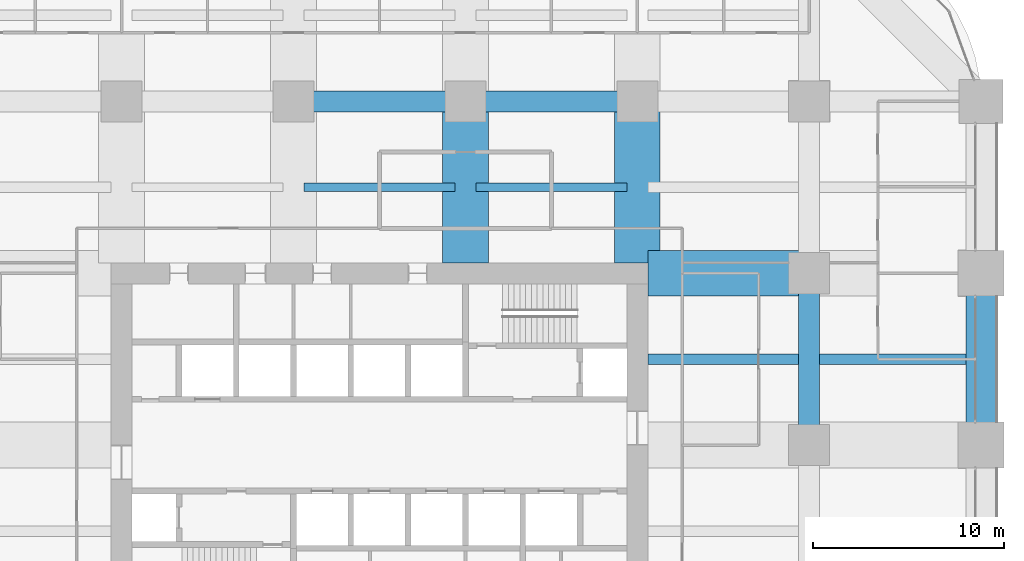
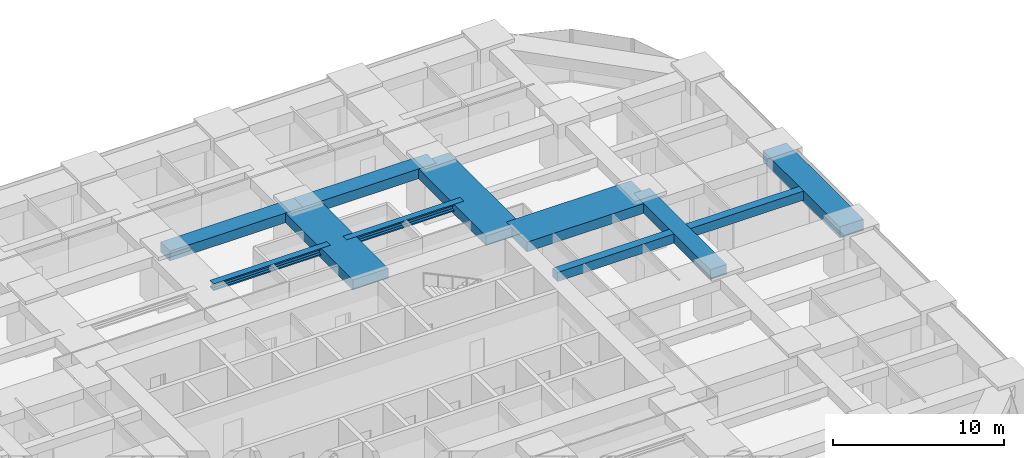
# One storey, part 30 of 45: 11 beams.
"""IFC4 building model written with IfcOpenShell, lengths in metres."""

from ifc_helpers import new_model, si_unit, direction, frame, origin, origin_2d, place, context, subcontext, project, spatial, rectangle, i_section, extrude, material, material_profile, profile_set, type_object, element, save


model = new_model("IFC4")

# Units and contexts
model_context = context("Model", 3, precision=1e-05, world=origin(), true_north=direction((0.0, 1.0)))
body_context = subcontext(model_context, "Body", "Model", "MODEL_VIEW")
ifc_project = project(units=[si_unit("LENGTHUNIT", "METRE"), si_unit("AREAUNIT", "SQUARE_METRE"), si_unit("VOLUMEUNIT", "CUBIC_METRE"), si_unit("PLANEANGLEUNIT", "RADIAN"), si_unit("MASSUNIT", "GRAM", prefix="KILO")], contexts=[model_context])

# Site, building, storey
site_placement = place(None, origin())
site = spatial("IfcSite", under=ifc_project, at=site_placement, CompositionType="ELEMENT")
building_placement = place(site_placement, origin())
building = spatial("IfcBuilding", under=site, at=building_placement, Name="Zorevar Civic Tower", CompositionType="ELEMENT")
storey_placement = place(building_placement, frame((0.0, 0.0, 71.800048828125)))
storey = spatial("IfcBuildingStorey", under=building, at=storey_placement, Name="L17", CompositionType="ELEMENT", Elevation=71.800048828125)

# Beams
ifc_material_1 = material(Name="Concrete C50/60", Category="concrete")
ifc_material_profile_1 = material_profile(ifc_material_1, rectangle(XDim=1.10009765625, YDim=0.699951171875, at=origin_2d()), Name="RC 1100x700")
ifc_profile_set_1 = profile_set([ifc_material_profile_1], Name="Concrete C50/60")
beam_type_1 = type_object("IfcBeamType", Name="Beam RC 1100x700", PredefinedType="BEAM", material=ifc_profile_set_1)
for number, where, z_axis, x_axis, name in (
    (1, (27.0, 45.0, 3.39990234375), (1.0, 0.0, 0.0), (0.0, 1.0, 0.0), "Girder L18"),
    (2, (36.0, 45.0, 3.39990234375), (1.0, 0.0, 0.0), (0.0, 1.0, 0.0), "Girder L18"),
    (3, (54.0, 27.0, 3.39990234375), (0.0, 1.0, 0.0), (-1.0, 0.0, 0.0), "Girder L18"),
):
    element("IfcBeam", number, at=place(storey_placement, frame(where, z_axis=z_axis, x_axis=x_axis)), inside=storey, type_object=beam_type_1, Name=name, PredefinedType="BEAM", context=body_context, shape_type="SweptSolid", body=[
        extrude(rectangle(XDim=1.10009765625, YDim=0.699951171875, at=origin_2d()), origin(), (0.0, 0.0, 1.0), 9.0),
    ])
ifc_material_2 = material(Name="Concrete C50/60", Category="concrete")
ifc_material_profile_2 = material_profile(ifc_material_2, rectangle(XDim=2.39990234375, YDim=0.699951171875, at=origin_2d()), Name="RC 2400x700")
ifc_profile_set_2 = profile_set([ifc_material_profile_2], Name="Concrete C50/60")
beam_type_2 = type_object("IfcBeamType", Name="Beam RC 2400x700", PredefinedType="BEAM", material=ifc_profile_set_2)
for number, where, z_axis, x_axis, name in (
    (4, (45.550048828125, 36.0, 3.39990234375), (1.0, 0.0, 0.0), (0.0, 1.0, 0.0), "Girder L18"),
    (5, (36.0, 36.550048828125, 3.39990234375), (0.0, 1.0, 0.0), (-1.0, 0.0, 0.0), "Girder L18"),
    (6, (45.0, 36.550048828125, 3.39990234375), (0.0, 1.0, 0.0), (-1.0, 0.0, 0.0), "Girder L18"),
):
    element("IfcBeam", number, at=place(storey_placement, frame(where, z_axis=z_axis, x_axis=x_axis)), inside=storey, type_object=beam_type_2, Name=name, PredefinedType="BEAM", context=body_context, shape_type="SweptSolid", body=[
        extrude(rectangle(XDim=2.39990234375, YDim=0.699951171875, at=origin_2d()), origin(), (0.0, 0.0, 1.0), 8.449951171875),
    ])
ifc_material_3 = material(Name="Concrete C50/60", Category="concrete")
ifc_material_profile_3 = material_profile(ifc_material_3, rectangle(XDim=0.550048828125, YDim=0.64990234375, at=origin_2d()), Name="RC 550x650")
ifc_profile_set_3 = profile_set([ifc_material_profile_3], Name="Concrete C50/60")
beam_type_3 = type_object("IfcBeamType", Name="Beam RC 550x650", PredefinedType="BEAM", material=ifc_profile_set_3)
beam_1_placement = place(storey_placement, frame((45.550048828125, 31.5, 3.425048828125), z_axis=(1.0, 0.0, 0.0), x_axis=(0.0, 1.0, 0.0)))
element("IfcBeam", 7, at=beam_1_placement, inside=storey, type_object=beam_type_3, Name="Secondary beam L18", PredefinedType="BEAM", context=body_context, shape_type="SweptSolid", body=[
    extrude(rectangle(XDim=0.550048828125, YDim=0.64990234375, at=origin_2d()), origin(), (0.0, 0.0, 1.0), 7.89990234375),
])
beam_2_placement = place(storey_placement, frame((54.550048828125, 31.5, 3.425048828125), z_axis=(1.0, 0.0, 0.0), x_axis=(0.0, 1.0, 0.0)))
element("IfcBeam", 8, at=beam_2_placement, inside=storey, type_object=beam_type_3, Name="Secondary beam L18", PredefinedType="BEAM", context=body_context, shape_type="SweptSolid", body=[
    extrude(rectangle(XDim=0.550048828125, YDim=0.64990234375, at=origin_2d()), origin(), (0.0, 0.0, 1.0), 7.64990234375),
])
ifc_material_4 = material(Name="Steel S460M (HISTAR 460)", Category="steel")
ifc_material_profile_4 = material_profile(ifc_material_4, i_section(OverallWidth=0.431884765625, OverallDepth=0.498046875, WebThickness=0.0556640625, FlangeThickness=0.0888671875, FilletRadius=0.014892578125, at=origin_2d()), Name="HD 400x744")
ifc_profile_set_4 = profile_set([ifc_material_profile_4], Name="Steel S460M (HISTAR 460)")
beam_type_4 = type_object("IfcBeamType", Name="Core bay beam HD 400x744", PredefinedType="BEAM", material=ifc_profile_set_4)
for number, where, z_axis, x_axis, name in (
    (9, (27.550048828125, 40.5, 3.5009765625), (1.0, 0.0, 0.0), (0.0, 1.0, 0.0), "Secondary beam L18"),
    (10, (36.550048828125, 40.5, 3.5009765625), (1.0, 0.0, 0.0), (0.0, 1.0, 0.0), "Secondary beam L18"),
):
    element("IfcBeam", number, at=place(storey_placement, frame(where, z_axis=z_axis, x_axis=x_axis)), inside=storey, type_object=beam_type_4, Name=name, PredefinedType="BEAM", context=body_context, shape_type="SweptSolid", body=[
        extrude(i_section(OverallWidth=0.431884765625, OverallDepth=0.498046875, WebThickness=0.0556640625, FlangeThickness=0.0888671875, FilletRadius=0.014892578125, at=origin_2d()), origin(), (0.0, 0.0, 1.0), 7.89990234375),
    ])
ifc_material_5 = material(Name="Concrete C50/60", Category="concrete")
ifc_material_profile_5 = material_profile(ifc_material_5, rectangle(XDim=1.60009765625, YDim=0.800048828125, at=origin_2d()), Name="RC 1600x800")
ifc_profile_set_5 = profile_set([ifc_material_profile_5], Name="Concrete C50/60")
beam_type_5 = type_object("IfcBeamType", Name="Edge beam RC 1600x800", PredefinedType="SPANDREL", material=ifc_profile_set_5)
beam_3_placement = place(storey_placement, frame((63.0, 27.0, 3.349853515625), z_axis=(0.0, 1.0, 0.0), x_axis=(-1.0, 0.0, 0.0)))
element("IfcBeam", 11, at=beam_3_placement, inside=storey, type_object=beam_type_5, Name="Edge beam L18", PredefinedType="SPANDREL", context=body_context, shape_type="SweptSolid", body=[
    extrude(rectangle(XDim=1.60009765625, YDim=0.800048828125, at=origin_2d()), origin(), (0.0, 0.0, 1.0), 9.0),
])

save(model, "model.ifc")
